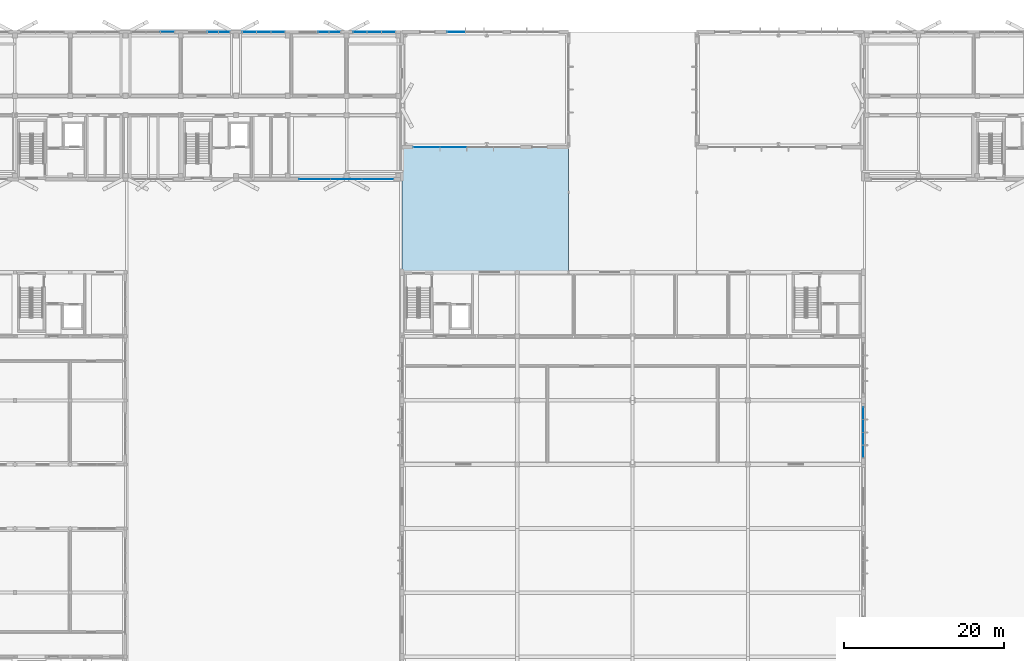
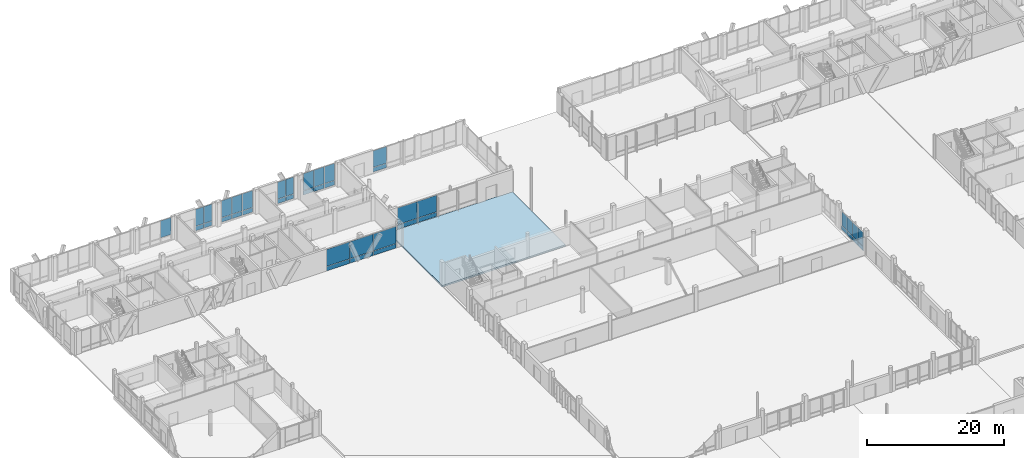
# One storey, part 183 of 233: 41 plates, 1 slab, 9 elements without a shape of their own.
"""IFC4 building model written with IfcOpenShell, lengths in metres."""

from ifc_helpers import new_model, si_unit, direction, frame, origin, origin_2d, place, context, subcontext, project, spatial, polyline, rectangle, outline, extrude, material, layer, layer_set, type_object, element, aggregate, save


model = new_model("IFC4")

# Units and contexts
model_context = context("Model", 3, precision=1e-05, world=origin(), true_north=direction((0.0, 1.0)))
body_context = subcontext(model_context, "Body", "Model", "MODEL_VIEW")
ifc_project = project(units=[si_unit("LENGTHUNIT", "METRE"), si_unit("AREAUNIT", "SQUARE_METRE"), si_unit("VOLUMEUNIT", "CUBIC_METRE"), si_unit("PLANEANGLEUNIT", "RADIAN"), si_unit("MASSUNIT", "GRAM", prefix="KILO")], contexts=[model_context])

# Site, building, storey
site_placement = place(None, origin())
site = spatial("IfcSite", under=ifc_project, at=site_placement, CompositionType="ELEMENT")
building_placement = place(site_placement, origin())
building = spatial("IfcBuilding", under=site, at=building_placement, Name="Zavelmont Quarter", CompositionType="ELEMENT")
storey_placement = place(building_placement, origin())
storey = spatial("IfcBuildingStorey", under=building, at=storey_placement, Name="L00", CompositionType="ELEMENT", Elevation=0.0)

# Curtain wall, plates
ifc_material_1 = material(Name="Thermally broken aluminium and double low-E safety glazing", Category="aluminium")
curtain_wall_type_1 = type_object("IfcCurtainWallType", Name="CW-285X395", PredefinedType="NOTDEFINED", material=ifc_material_1)
curtain_wall_1_placement = place(storey_placement, origin())
curtain_wall_1 = element("IfcCurtainWall", 1, at=curtain_wall_1_placement, inside=storey, type_object=curtain_wall_type_1, Name="L00 unitised curtain wall CW-285X395", PredefinedType="NOTDEFINED")
ifc_material_2 = material(Name="Insulated anodised-aluminium spandrel panel", Category="aluminium")
ifc_layer_1 = layer(ifc_material_2, 0.0400390625)
ifc_layer_set_1 = layer_set([ifc_layer_1], Name="Insulated anodised-aluminium spandrel panel")
plate_type_1 = type_object("IfcPlateType", Name="CWP-SPD-1335X760", PredefinedType="CURTAIN_PANEL", material=ifc_layer_set_1)
plate_1_placement = place(storey_placement, frame((31.62744140625, 116.0, 0.06005859375), z_axis=(0.0, 0.0, 1.0), x_axis=(1.0, 0.0, 0.0)))
plate_1 = element("IfcPlate", 2, at=plate_1_placement, type_object=plate_type_1, Name="CW-285X395 panel 1.1", PredefinedType="CURTAIN_PANEL", context=body_context, shape_type="SweptSolid", body=[
    extrude(rectangle(XDim=1.3349609375, YDim=0.0400390625, at=origin_2d()), origin(), (0.0, 0.0, 1.0), 0.760009765625),
])
plate_2_placement = place(storey_placement, frame((33.0224609375, 116.0, 0.06005859375), z_axis=(0.0, 0.0, 1.0), x_axis=(1.0, 0.0, 0.0)))
plate_2 = element("IfcPlate", 3, at=plate_2_placement, type_object=plate_type_1, Name="CW-285X395 panel 2.1", PredefinedType="CURTAIN_PANEL", context=body_context, shape_type="SweptSolid", body=[
    extrude(rectangle(XDim=1.3349609375, YDim=0.0400390625, at=origin_2d()), origin(), (0.0, 0.0, 1.0), 0.760009765625),
])

curtain_wall_2_placement = place(storey_placement, origin())
curtain_wall_2 = element("IfcCurtainWall", 4, at=curtain_wall_2_placement, inside=storey, type_object=curtain_wall_type_1, Name="L00 unitised curtain wall CW-285X395", PredefinedType="NOTDEFINED")
plate_3_placement = place(storey_placement, frame((45.427490234375, 116.0, 0.06005859375), z_axis=(0.0, 0.0, 1.0), x_axis=(1.0, 0.0, 0.0)))
plate_3 = element("IfcPlate", 5, at=plate_3_placement, type_object=plate_type_1, Name="CW-285X395 panel 1.1", PredefinedType="CURTAIN_PANEL", context=body_context, shape_type="SweptSolid", body=[
    extrude(rectangle(XDim=1.3349609375, YDim=0.0400390625, at=origin_2d()), origin(), (0.0, 0.0, 1.0), 0.760009765625),
])
plate_4_placement = place(storey_placement, frame((46.822509765625, 116.0, 0.06005859375), z_axis=(0.0, 0.0, 1.0), x_axis=(1.0, 0.0, 0.0)))
plate_4 = element("IfcPlate", 6, at=plate_4_placement, type_object=plate_type_1, Name="CW-285X395 panel 2.1", PredefinedType="CURTAIN_PANEL", context=body_context, shape_type="SweptSolid", body=[
    extrude(rectangle(XDim=1.3349609375, YDim=0.0400390625, at=origin_2d()), origin(), (0.0, 0.0, 1.0), 0.760009765625),
])

curtain_wall_type_2 = type_object("IfcCurtainWallType", Name="CW-640X336", PredefinedType="NOTDEFINED", material=ifc_material_1)
curtain_wall_3_placement = place(storey_placement, origin())
curtain_wall_3 = element("IfcCurtainWall", 7, at=curtain_wall_3_placement, inside=storey, type_object=curtain_wall_type_2, Name="L00 unitised curtain wall CW-640X336", PredefinedType="NOTDEFINED")
ifc_layer_2 = layer(ifc_material_2, 0.0400390625)
ifc_layer_set_2 = layer_set([ifc_layer_2], Name="Insulated anodised-aluminium spandrel panel")
plate_type_2 = type_object("IfcPlateType", Name="CWP-SPD-1495X700", PredefinedType="CURTAIN_PANEL", material=ifc_layer_set_2)
plate_5_placement = place(storey_placement, frame((112.800048828125, 63.617431640625, 0.06982421875), z_axis=(0.0, 0.0, 1.0), x_axis=(0.0, 1.0, 0.0)))
plate_5 = element("IfcPlate", 8, at=plate_5_placement, type_object=plate_type_2, Name="CW-640X336 panel 1.1", PredefinedType="CURTAIN_PANEL", context=body_context, shape_type="SweptSolid", body=[
    extrude(rectangle(XDim=1.4951171875, YDim=0.0400390625, at=origin_2d()), origin(), (0.0, 0.0, 1.0), 0.700927734375),
])
plate_6_placement = place(storey_placement, frame((112.800048828125, 68.382568359375, 0.06982421875), z_axis=(0.0, 0.0, 1.0), x_axis=(0.0, 1.0, 0.0)))
plate_6 = element("IfcPlate", 9, at=plate_6_placement, type_object=plate_type_2, Name="CW-640X336 panel 4.1", PredefinedType="CURTAIN_PANEL", context=body_context, shape_type="SweptSolid", body=[
    extrude(rectangle(XDim=1.4951171875, YDim=0.0400390625, at=origin_2d()), origin(), (0.0, 0.0, 1.0), 0.700927734375),
])
ifc_layer_3 = layer(ifc_material_2, 0.0400390625)
ifc_layer_set_3 = layer_set([ifc_layer_3], Name="Insulated anodised-aluminium spandrel panel")
plate_type_3 = type_object("IfcPlateType", Name="CWP-SPD-1530X700", PredefinedType="CURTAIN_PANEL", material=ifc_layer_set_3)
plate_7_placement = place(storey_placement, frame((112.800048828125, 65.199951171875, 0.06982421875), z_axis=(0.0, 0.0, 1.0), x_axis=(0.0, 1.0, 0.0)))
plate_7 = element("IfcPlate", 10, at=plate_7_placement, type_object=plate_type_3, Name="CW-640X336 panel 2.1", PredefinedType="CURTAIN_PANEL", context=body_context, shape_type="SweptSolid", body=[
    extrude(rectangle(XDim=1.530029296875, YDim=0.0400390625, at=origin_2d()), origin(), (0.0, 0.0, 1.0), 0.700927734375),
])
plate_8_placement = place(storey_placement, frame((112.800048828125, 66.800048828125, 0.06982421875), z_axis=(0.0, 0.0, 1.0), x_axis=(0.0, 1.0, 0.0)))
plate_8 = element("IfcPlate", 11, at=plate_8_placement, type_object=plate_type_3, Name="CW-640X336 panel 3.1", PredefinedType="CURTAIN_PANEL", context=body_context, shape_type="SweptSolid", body=[
    extrude(rectangle(XDim=1.530029296875, YDim=0.0400390625, at=origin_2d()), origin(), (0.0, 0.0, 1.0), 0.700927734375),
])

curtain_wall_type_3 = type_object("IfcCurtainWallType", Name="CW-540X395", PredefinedType="NOTDEFINED", material=ifc_material_1)
curtain_wall_4_placement = place(storey_placement, origin())
curtain_wall_4 = element("IfcCurtainWall", 12, at=curtain_wall_4_placement, inside=storey, type_object=curtain_wall_type_3, Name="L00 unitised curtain wall CW-540X395", PredefinedType="NOTDEFINED")
ifc_layer_4 = layer(ifc_material_2, 0.0400390625)
ifc_layer_set_4 = layer_set([ifc_layer_4], Name="Insulated anodised-aluminium spandrel panel")
plate_type_4 = type_object("IfcPlateType", Name="CWP-SPD-1710X760", PredefinedType="CURTAIN_PANEL", material=ifc_layer_set_4)
plate_9_placement = place(storey_placement, frame((36.1650390625, 116.0, 0.06005859375), z_axis=(0.0, 0.0, 1.0), x_axis=(1.0, 0.0, 0.0)))
plate_9 = element("IfcPlate", 13, at=plate_9_placement, type_object=plate_type_4, Name="CW-540X395 panel 1.1", PredefinedType="CURTAIN_PANEL", context=body_context, shape_type="SweptSolid", body=[
    extrude(rectangle(XDim=1.7099609375, YDim=0.0400390625, at=origin_2d()), origin(), (0.0, 0.0, 1.0), 0.760009765625),
])
plate_10_placement = place(storey_placement, frame((39.735107421875, 116.0, 0.06005859375), z_axis=(0.0, 0.0, 1.0), x_axis=(1.0, 0.0, 0.0)))
plate_10 = element("IfcPlate", 14, at=plate_10_placement, type_object=plate_type_4, Name="CW-540X395 panel 3.1", PredefinedType="CURTAIN_PANEL", context=body_context, shape_type="SweptSolid", body=[
    extrude(rectangle(XDim=1.7099609375, YDim=0.0400390625, at=origin_2d()), origin(), (0.0, 0.0, 1.0), 0.760009765625),
])

curtain_wall_5_placement = place(storey_placement, origin())
curtain_wall_5 = element("IfcCurtainWall", 15, at=curtain_wall_5_placement, inside=storey, type_object=curtain_wall_type_3, Name="L00 unitised curtain wall CW-540X395", PredefinedType="NOTDEFINED")
plate_11_placement = place(storey_placement, frame((49.965087890625, 116.0, 0.06005859375), z_axis=(0.0, 0.0, 1.0), x_axis=(1.0, 0.0, 0.0)))
plate_11 = element("IfcPlate", 16, at=plate_11_placement, type_object=plate_type_4, Name="CW-540X395 panel 1.1", PredefinedType="CURTAIN_PANEL", context=body_context, shape_type="SweptSolid", body=[
    extrude(rectangle(XDim=1.7099609375, YDim=0.0400390625, at=origin_2d()), origin(), (0.0, 0.0, 1.0), 0.760009765625),
])
plate_12_placement = place(storey_placement, frame((53.534912109375, 116.0, 0.06005859375), z_axis=(0.0, 0.0, 1.0), x_axis=(1.0, 0.0, 0.0)))
plate_12 = element("IfcPlate", 17, at=plate_12_placement, type_object=plate_type_4, Name="CW-540X395 panel 3.1", PredefinedType="CURTAIN_PANEL", context=body_context, shape_type="SweptSolid", body=[
    extrude(rectangle(XDim=1.7099609375, YDim=0.0400390625, at=origin_2d()), origin(), (0.0, 0.0, 1.0), 0.760009765625),
])

# Plate
ifc_layer_5 = layer(ifc_material_2, 0.0400390625)
ifc_layer_set_5 = layer_set([ifc_layer_5], Name="Insulated anodised-aluminium spandrel panel")
plate_type_5 = type_object("IfcPlateType", Name="CWP-SPD-1740X760", PredefinedType="CURTAIN_PANEL", material=ifc_layer_set_5)
plate_13_placement = place(storey_placement, frame((37.949951171875, 116.0, 0.06005859375), z_axis=(0.0, 0.0, 1.0), x_axis=(1.0, 0.0, 0.0)))
plate_13 = element("IfcPlate", 18, at=plate_13_placement, type_object=plate_type_5, Name="CW-540X395 panel 2.1", PredefinedType="CURTAIN_PANEL", context=body_context, shape_type="SweptSolid", body=[
    extrude(rectangle(XDim=1.739990234375, YDim=0.0400390625, at=origin_2d()), origin(), (0.0, 0.0, 1.0), 0.760009765625),
])

plate_14_placement = place(storey_placement, frame((51.75, 116.0, 0.06005859375), z_axis=(0.0, 0.0, 1.0), x_axis=(1.0, 0.0, 0.0)))
plate_14 = element("IfcPlate", 19, at=plate_14_placement, type_object=plate_type_5, Name="CW-540X395 panel 2.1", PredefinedType="CURTAIN_PANEL", context=body_context, shape_type="SweptSolid", body=[
    extrude(rectangle(XDim=1.739990234375, YDim=0.0400390625, at=origin_2d()), origin(), (0.0, 0.0, 1.0), 0.760009765625),
])

# Curtain wall, plate
curtain_wall_type_4 = type_object("IfcCurtainWallType", Name="CW-700X390", PredefinedType="NOTDEFINED", material=ifc_material_1)
curtain_wall_6_placement = place(storey_placement, origin())
curtain_wall_6 = element("IfcCurtainWall", 20, at=curtain_wall_6_placement, inside=storey, type_object=curtain_wall_type_4, Name="L00 unitised curtain wall CW-700X390", PredefinedType="NOTDEFINED")
ifc_layer_6 = layer(ifc_material_2, 0.0400390625)
ifc_layer_set_6 = layer_set([ifc_layer_6], Name="Insulated anodised-aluminium spandrel panel")
plate_type_6 = type_object("IfcPlateType", Name="CWP-SPD-2245X760", PredefinedType="CURTAIN_PANEL", material=ifc_layer_set_6)
plate_15_placement = place(storey_placement, frame((61.981689453125, 116.0, 0.06005859375), z_axis=(0.0, 0.0, 1.0), x_axis=(1.0, 0.0, 0.0)))
plate_15 = element("IfcPlate", 21, at=plate_15_placement, type_object=plate_type_6, Name="CW-700X390 panel 1.1", PredefinedType="CURTAIN_PANEL", context=body_context, shape_type="SweptSolid", body=[
    extrude(rectangle(XDim=2.243408203125, YDim=0.0400390625, at=origin_2d()), origin(), (0.0, 0.0, 1.0), 0.760009765625),
])

# Curtain wall, plates
curtain_wall_type_5 = type_object("IfcCurtainWallType", Name="CW-1340X390", PredefinedType="NOTDEFINED", material=ifc_material_1)
curtain_wall_7_placement = place(storey_placement, origin())
curtain_wall_7 = element("IfcCurtainWall", 22, at=curtain_wall_7_placement, inside=storey, type_object=curtain_wall_type_5, Name="L00 unitised curtain wall CW-1340X390", PredefinedType="NOTDEFINED")
ifc_layer_7 = layer(ifc_material_2, 0.0400390625)
ifc_layer_set_7 = layer_set([ifc_layer_7], Name="Insulated anodised-aluminium spandrel panel")
plate_type_7 = type_object("IfcPlateType", Name="CWP-SPD-3260X760", PredefinedType="CURTAIN_PANEL", material=ifc_layer_set_7)
plate_16_placement = place(storey_placement, frame((58.2900390625, 101.60009765625, 0.06005859375), z_axis=(0.0, 0.0, 1.0), x_axis=(1.0, 0.0, 0.0)))
plate_16 = element("IfcPlate", 23, at=plate_16_placement, type_object=plate_type_7, Name="CW-1340X390 panel 1.1", PredefinedType="CURTAIN_PANEL", context=body_context, shape_type="SweptSolid", body=[
    extrude(rectangle(XDim=3.260009765625, YDim=0.0400390625, at=origin_2d()), origin(), (0.0, 0.0, 1.0), 0.760009765625),
])
ifc_layer_8 = layer(ifc_material_2, 0.0400390625)
ifc_layer_set_8 = layer_set([ifc_layer_8], Name="Insulated anodised-aluminium spandrel panel")
plate_type_8 = type_object("IfcPlateType", Name="CWP-SPD-3290X760", PredefinedType="CURTAIN_PANEL", material=ifc_layer_set_8)
plate_17_placement = place(storey_placement, frame((61.625, 101.60009765625, 0.06005859375), z_axis=(0.0, 0.0, 1.0), x_axis=(1.0, 0.0, 0.0)))
plate_17 = element("IfcPlate", 24, at=plate_17_placement, type_object=plate_type_8, Name="CW-1340X390 panel 2.1", PredefinedType="CURTAIN_PANEL", context=body_context, shape_type="SweptSolid", body=[
    extrude(rectangle(XDim=3.2900390625, YDim=0.0400390625, at=origin_2d()), origin(), (0.0, 0.0, 1.0), 0.760009765625),
])

curtain_wall_type_6 = type_object("IfcCurtainWallType", Name="CW-1185X395", PredefinedType="NOTDEFINED", material=ifc_material_1)
curtain_wall_8_placement = place(storey_placement, origin())
curtain_wall_8 = element("IfcCurtainWall", 25, at=curtain_wall_8_placement, inside=storey, type_object=curtain_wall_type_6, Name="L00 unitised curtain wall CW-1185X395", PredefinedType="NOTDEFINED")
ifc_layer_9 = layer(ifc_material_2, 0.0400390625)
ifc_layer_set_9 = layer_set([ifc_layer_9], Name="Insulated anodised-aluminium spandrel panel")
plate_type_9 = type_object("IfcPlateType", Name="CWP-SPD-3860X760", PredefinedType="CURTAIN_PANEL", material=ifc_layer_set_9)
plate_18_placement = place(storey_placement, frame((44.340087890625, 97.60009765625, 0.06005859375), z_axis=(0.0, 0.0, 1.0), x_axis=(1.0, 0.0, 0.0)))
plate_18 = element("IfcPlate", 26, at=plate_18_placement, type_object=plate_type_9, Name="CW-1185X395 panel 1.1", PredefinedType="CURTAIN_PANEL", context=body_context, shape_type="SweptSolid", body=[
    extrude(rectangle(XDim=3.860107421875, YDim=0.0400390625, at=origin_2d()), origin(), (0.0, 0.0, 1.0), 0.760009765625),
])
plate_19_placement = place(storey_placement, frame((52.2099609375, 97.60009765625, 0.06005859375), z_axis=(0.0, 0.0, 1.0), x_axis=(1.0, 0.0, 0.0)))
plate_19 = element("IfcPlate", 27, at=plate_19_placement, type_object=plate_type_9, Name="CW-1185X395 panel 3.1", PredefinedType="CURTAIN_PANEL", context=body_context, shape_type="SweptSolid", body=[
    extrude(rectangle(XDim=3.860107421875, YDim=0.0400390625, at=origin_2d()), origin(), (0.0, 0.0, 1.0), 0.760009765625),
])
ifc_layer_10 = layer(ifc_material_2, 0.0400390625)
ifc_layer_set_10 = layer_set([ifc_layer_10], Name="Insulated anodised-aluminium spandrel panel")
plate_type_10 = type_object("IfcPlateType", Name="CWP-SPD-3890X760", PredefinedType="CURTAIN_PANEL", material=ifc_layer_set_10)
plate_20_placement = place(storey_placement, frame((48.27490234375, 97.60009765625, 0.06005859375), z_axis=(0.0, 0.0, 1.0), x_axis=(1.0, 0.0, 0.0)))
plate_20 = element("IfcPlate", 28, at=plate_20_placement, type_object=plate_type_10, Name="CW-1185X395 panel 2.1", PredefinedType="CURTAIN_PANEL", context=body_context, shape_type="SweptSolid", body=[
    extrude(rectangle(XDim=3.889892578125, YDim=0.0400390625, at=origin_2d()), origin(), (0.0, 0.0, 1.0), 0.760009765625),
])

# Plate
ifc_material_3 = material(Name="Double low-E insulated vision glass", Category="glass")
ifc_layer_11 = layer(ifc_material_3, 0.028076171875)
ifc_layer_set_11 = layer_set([ifc_layer_11], Name="Double low-E insulated vision glass")
plate_type_11 = type_object("IfcPlateType", Name="CWP-VIS-1335X3010", PredefinedType="CURTAIN_PANEL", material=ifc_layer_set_11)
plate_21_placement = place(storey_placement, frame((31.62744140625, 116.0, 0.8798828125), z_axis=(0.0, 0.0, 1.0), x_axis=(1.0, 0.0, 0.0)))
plate_21 = element("IfcPlate", 29, at=plate_21_placement, type_object=plate_type_11, Name="CW-285X395 panel 1.2", PredefinedType="CURTAIN_PANEL", context=body_context, shape_type="SweptSolid", body=[
    extrude(rectangle(XDim=1.3349609375, YDim=0.028076171875, at=origin_2d()), origin(), (0.0, 0.0, 1.0), 3.010009765625),
])

plate_22_placement = place(storey_placement, frame((33.0224609375, 116.0, 0.8798828125), z_axis=(0.0, 0.0, 1.0), x_axis=(1.0, 0.0, 0.0)))
plate_22 = element("IfcPlate", 30, at=plate_22_placement, type_object=plate_type_11, Name="CW-285X395 panel 2.2", PredefinedType="CURTAIN_PANEL", context=body_context, shape_type="SweptSolid", body=[
    extrude(rectangle(XDim=1.3349609375, YDim=0.028076171875, at=origin_2d()), origin(), (0.0, 0.0, 1.0), 3.010009765625),
])

aggregate(curtain_wall_1, [plate_1, plate_21, plate_2, plate_22])

plate_23_placement = place(storey_placement, frame((45.427490234375, 116.0, 0.8798828125), z_axis=(0.0, 0.0, 1.0), x_axis=(1.0, 0.0, 0.0)))
plate_23 = element("IfcPlate", 31, at=plate_23_placement, type_object=plate_type_11, Name="CW-285X395 panel 1.2", PredefinedType="CURTAIN_PANEL", context=body_context, shape_type="SweptSolid", body=[
    extrude(rectangle(XDim=1.3349609375, YDim=0.028076171875, at=origin_2d()), origin(), (0.0, 0.0, 1.0), 3.010009765625),
])

plate_24_placement = place(storey_placement, frame((46.822509765625, 116.0, 0.8798828125), z_axis=(0.0, 0.0, 1.0), x_axis=(1.0, 0.0, 0.0)))
plate_24 = element("IfcPlate", 32, at=plate_24_placement, type_object=plate_type_11, Name="CW-285X395 panel 2.2", PredefinedType="CURTAIN_PANEL", context=body_context, shape_type="SweptSolid", body=[
    extrude(rectangle(XDim=1.3349609375, YDim=0.028076171875, at=origin_2d()), origin(), (0.0, 0.0, 1.0), 3.010009765625),
])

aggregate(curtain_wall_2, [plate_3, plate_23, plate_4, plate_24])

ifc_layer_12 = layer(ifc_material_3, 0.028076171875)
ifc_layer_set_12 = layer_set([ifc_layer_12], Name="Double low-E insulated vision glass")
plate_type_12 = type_object("IfcPlateType", Name="CWP-VIS-1495X2450", PredefinedType="CURTAIN_PANEL", material=ifc_layer_set_12)
plate_25_placement = place(storey_placement, frame((112.800048828125, 63.617431640625, 0.8408203125), z_axis=(0.0, 0.0, 1.0), x_axis=(0.0, 1.0, 0.0)))
plate_25 = element("IfcPlate", 33, at=plate_25_placement, type_object=plate_type_12, Name="CW-640X336 panel 1.2", PredefinedType="CURTAIN_PANEL", context=body_context, shape_type="SweptSolid", body=[
    extrude(rectangle(XDim=1.4951171875, YDim=0.028076171875, at=origin_2d()), origin(), (0.0, 0.0, 1.0), 2.448974609375),
])

plate_26_placement = place(storey_placement, frame((112.800048828125, 68.382568359375, 0.8408203125), z_axis=(0.0, 0.0, 1.0), x_axis=(0.0, 1.0, 0.0)))
plate_26 = element("IfcPlate", 34, at=plate_26_placement, type_object=plate_type_12, Name="CW-640X336 panel 4.2", PredefinedType="CURTAIN_PANEL", context=body_context, shape_type="SweptSolid", body=[
    extrude(rectangle(XDim=1.4951171875, YDim=0.028076171875, at=origin_2d()), origin(), (0.0, 0.0, 1.0), 2.448974609375),
])

ifc_layer_13 = layer(ifc_material_3, 0.028076171875)
ifc_layer_set_13 = layer_set([ifc_layer_13], Name="Double low-E insulated vision glass")
plate_type_13 = type_object("IfcPlateType", Name="CWP-VIS-1530X2450", PredefinedType="CURTAIN_PANEL", material=ifc_layer_set_13)
plate_27_placement = place(storey_placement, frame((112.800048828125, 65.199951171875, 0.8408203125), z_axis=(0.0, 0.0, 1.0), x_axis=(0.0, 1.0, 0.0)))
plate_27 = element("IfcPlate", 35, at=plate_27_placement, type_object=plate_type_13, Name="CW-640X336 panel 2.2", PredefinedType="CURTAIN_PANEL", context=body_context, shape_type="SweptSolid", body=[
    extrude(rectangle(XDim=1.530029296875, YDim=0.028076171875, at=origin_2d()), origin(), (0.0, 0.0, 1.0), 2.448974609375),
])

plate_28_placement = place(storey_placement, frame((112.800048828125, 66.800048828125, 0.8408203125), z_axis=(0.0, 0.0, 1.0), x_axis=(0.0, 1.0, 0.0)))
plate_28 = element("IfcPlate", 36, at=plate_28_placement, type_object=plate_type_13, Name="CW-640X336 panel 3.2", PredefinedType="CURTAIN_PANEL", context=body_context, shape_type="SweptSolid", body=[
    extrude(rectangle(XDim=1.530029296875, YDim=0.028076171875, at=origin_2d()), origin(), (0.0, 0.0, 1.0), 2.448974609375),
])

aggregate(curtain_wall_3, [plate_5, plate_25, plate_7, plate_27, plate_8, plate_28, plate_6, plate_26])

# Curtain wall, plate
curtain_wall_9_placement = place(storey_placement, origin())
curtain_wall_9 = element("IfcCurtainWall", 37, at=curtain_wall_9_placement, inside=storey, type_object=curtain_wall_type_3, Name="L00 unitised curtain wall CW-540X395", PredefinedType="NOTDEFINED")
ifc_layer_14 = layer(ifc_material_3, 0.028076171875)
ifc_layer_set_14 = layer_set([ifc_layer_14], Name="Double low-E insulated vision glass")
plate_type_14 = type_object("IfcPlateType", Name="CWP-VIS-1710X3010", PredefinedType="CURTAIN_PANEL", material=ifc_layer_set_14)
plate_29_placement = place(storey_placement, frame((25.93505859375, 116.0, 0.8798828125), z_axis=(0.0, 0.0, 1.0), x_axis=(1.0, 0.0, 0.0)))
plate_29 = element("IfcPlate", 38, at=plate_29_placement, type_object=plate_type_14, Name="CW-540X395 panel 3.2", PredefinedType="CURTAIN_PANEL", context=body_context, shape_type="SweptSolid", body=[
    extrude(rectangle(XDim=1.7099609375, YDim=0.028076171875, at=origin_2d()), origin(), (0.0, 0.0, 1.0), 3.010009765625),
])
aggregate(curtain_wall_9, [plate_29])

# Plate
plate_30_placement = place(storey_placement, frame((36.1650390625, 116.0, 0.8798828125), z_axis=(0.0, 0.0, 1.0), x_axis=(1.0, 0.0, 0.0)))
plate_30 = element("IfcPlate", 39, at=plate_30_placement, type_object=plate_type_14, Name="CW-540X395 panel 1.2", PredefinedType="CURTAIN_PANEL", context=body_context, shape_type="SweptSolid", body=[
    extrude(rectangle(XDim=1.7099609375, YDim=0.028076171875, at=origin_2d()), origin(), (0.0, 0.0, 1.0), 3.010009765625),
])

plate_31_placement = place(storey_placement, frame((39.735107421875, 116.0, 0.8798828125), z_axis=(0.0, 0.0, 1.0), x_axis=(1.0, 0.0, 0.0)))
plate_31 = element("IfcPlate", 40, at=plate_31_placement, type_object=plate_type_14, Name="CW-540X395 panel 3.2", PredefinedType="CURTAIN_PANEL", context=body_context, shape_type="SweptSolid", body=[
    extrude(rectangle(XDim=1.7099609375, YDim=0.028076171875, at=origin_2d()), origin(), (0.0, 0.0, 1.0), 3.010009765625),
])

plate_32_placement = place(storey_placement, frame((49.965087890625, 116.0, 0.8798828125), z_axis=(0.0, 0.0, 1.0), x_axis=(1.0, 0.0, 0.0)))
plate_32 = element("IfcPlate", 41, at=plate_32_placement, type_object=plate_type_14, Name="CW-540X395 panel 1.2", PredefinedType="CURTAIN_PANEL", context=body_context, shape_type="SweptSolid", body=[
    extrude(rectangle(XDim=1.7099609375, YDim=0.028076171875, at=origin_2d()), origin(), (0.0, 0.0, 1.0), 3.010009765625),
])

plate_33_placement = place(storey_placement, frame((53.534912109375, 116.0, 0.8798828125), z_axis=(0.0, 0.0, 1.0), x_axis=(1.0, 0.0, 0.0)))
plate_33 = element("IfcPlate", 42, at=plate_33_placement, type_object=plate_type_14, Name="CW-540X395 panel 3.2", PredefinedType="CURTAIN_PANEL", context=body_context, shape_type="SweptSolid", body=[
    extrude(rectangle(XDim=1.7099609375, YDim=0.028076171875, at=origin_2d()), origin(), (0.0, 0.0, 1.0), 3.010009765625),
])

ifc_layer_15 = layer(ifc_material_3, 0.028076171875)
ifc_layer_set_15 = layer_set([ifc_layer_15], Name="Double low-E insulated vision glass")
plate_type_15 = type_object("IfcPlateType", Name="CWP-VIS-1740X3010", PredefinedType="CURTAIN_PANEL", material=ifc_layer_set_15)
plate_34_placement = place(storey_placement, frame((37.949951171875, 116.0, 0.8798828125), z_axis=(0.0, 0.0, 1.0), x_axis=(1.0, 0.0, 0.0)))
plate_34 = element("IfcPlate", 43, at=plate_34_placement, type_object=plate_type_15, Name="CW-540X395 panel 2.2", PredefinedType="CURTAIN_PANEL", context=body_context, shape_type="SweptSolid", body=[
    extrude(rectangle(XDim=1.739990234375, YDim=0.028076171875, at=origin_2d()), origin(), (0.0, 0.0, 1.0), 3.010009765625),
])

aggregate(curtain_wall_4, [plate_9, plate_30, plate_13, plate_34, plate_10, plate_31])

plate_35_placement = place(storey_placement, frame((51.75, 116.0, 0.8798828125), z_axis=(0.0, 0.0, 1.0), x_axis=(1.0, 0.0, 0.0)))
plate_35 = element("IfcPlate", 44, at=plate_35_placement, type_object=plate_type_15, Name="CW-540X395 panel 2.2", PredefinedType="CURTAIN_PANEL", context=body_context, shape_type="SweptSolid", body=[
    extrude(rectangle(XDim=1.739990234375, YDim=0.028076171875, at=origin_2d()), origin(), (0.0, 0.0, 1.0), 3.010009765625),
])

aggregate(curtain_wall_5, [plate_11, plate_32, plate_14, plate_35, plate_12, plate_33])

ifc_layer_16 = layer(ifc_material_3, 0.028076171875)
ifc_layer_set_16 = layer_set([ifc_layer_16], Name="Double low-E insulated vision glass")
plate_type_16 = type_object("IfcPlateType", Name="CWP-VIS-2245X2960", PredefinedType="CURTAIN_PANEL", material=ifc_layer_set_16)
plate_36_placement = place(storey_placement, frame((61.981689453125, 116.0, 0.880126953125), z_axis=(0.0, 0.0, 1.0), x_axis=(1.0, 0.0, 0.0)))
plate_36 = element("IfcPlate", 45, at=plate_36_placement, type_object=plate_type_16, Name="CW-700X390 panel 1.2", PredefinedType="CURTAIN_PANEL", context=body_context, shape_type="SweptSolid", body=[
    extrude(rectangle(XDim=2.243408203125, YDim=0.028076171875, at=origin_2d()), origin(), (0.0, 0.0, 1.0), 2.9599609375),
])

aggregate(curtain_wall_6, [plate_15, plate_36])

ifc_layer_17 = layer(ifc_material_3, 0.028076171875)
ifc_layer_set_17 = layer_set([ifc_layer_17], Name="Double low-E insulated vision glass")
plate_type_17 = type_object("IfcPlateType", Name="CWP-VIS-3260X2960", PredefinedType="CURTAIN_PANEL", material=ifc_layer_set_17)
plate_37_placement = place(storey_placement, frame((58.2900390625, 101.60009765625, 0.880126953125), z_axis=(0.0, 0.0, 1.0), x_axis=(1.0, 0.0, 0.0)))
plate_37 = element("IfcPlate", 46, at=plate_37_placement, type_object=plate_type_17, Name="CW-1340X390 panel 1.2", PredefinedType="CURTAIN_PANEL", context=body_context, shape_type="SweptSolid", body=[
    extrude(rectangle(XDim=3.260009765625, YDim=0.028076171875, at=origin_2d()), origin(), (0.0, 0.0, 1.0), 2.9599609375),
])

ifc_layer_18 = layer(ifc_material_3, 0.028076171875)
ifc_layer_set_18 = layer_set([ifc_layer_18], Name="Double low-E insulated vision glass")
plate_type_18 = type_object("IfcPlateType", Name="CWP-VIS-3290X2960", PredefinedType="CURTAIN_PANEL", material=ifc_layer_set_18)
plate_38_placement = place(storey_placement, frame((61.625, 101.60009765625, 0.880126953125), z_axis=(0.0, 0.0, 1.0), x_axis=(1.0, 0.0, 0.0)))
plate_38 = element("IfcPlate", 47, at=plate_38_placement, type_object=plate_type_18, Name="CW-1340X390 panel 2.2", PredefinedType="CURTAIN_PANEL", context=body_context, shape_type="SweptSolid", body=[
    extrude(rectangle(XDim=3.2900390625, YDim=0.028076171875, at=origin_2d()), origin(), (0.0, 0.0, 1.0), 2.9599609375),
])

aggregate(curtain_wall_7, [plate_16, plate_37, plate_17, plate_38])

ifc_layer_19 = layer(ifc_material_3, 0.028076171875)
ifc_layer_set_19 = layer_set([ifc_layer_19], Name="Double low-E insulated vision glass")
plate_type_19 = type_object("IfcPlateType", Name="CWP-VIS-3860X3010", PredefinedType="CURTAIN_PANEL", material=ifc_layer_set_19)
plate_39_placement = place(storey_placement, frame((44.340087890625, 97.60009765625, 0.8798828125), z_axis=(0.0, 0.0, 1.0), x_axis=(1.0, 0.0, 0.0)))
plate_39 = element("IfcPlate", 48, at=plate_39_placement, type_object=plate_type_19, Name="CW-1185X395 panel 1.2", PredefinedType="CURTAIN_PANEL", context=body_context, shape_type="SweptSolid", body=[
    extrude(rectangle(XDim=3.860107421875, YDim=0.028076171875, at=origin_2d()), origin(), (0.0, 0.0, 1.0), 3.010009765625),
])

plate_40_placement = place(storey_placement, frame((52.2099609375, 97.60009765625, 0.8798828125), z_axis=(0.0, 0.0, 1.0), x_axis=(1.0, 0.0, 0.0)))
plate_40 = element("IfcPlate", 49, at=plate_40_placement, type_object=plate_type_19, Name="CW-1185X395 panel 3.2", PredefinedType="CURTAIN_PANEL", context=body_context, shape_type="SweptSolid", body=[
    extrude(rectangle(XDim=3.860107421875, YDim=0.028076171875, at=origin_2d()), origin(), (0.0, 0.0, 1.0), 3.010009765625),
])

ifc_layer_20 = layer(ifc_material_3, 0.028076171875)
ifc_layer_set_20 = layer_set([ifc_layer_20], Name="Double low-E insulated vision glass")
plate_type_20 = type_object("IfcPlateType", Name="CWP-VIS-3890X3010", PredefinedType="CURTAIN_PANEL", material=ifc_layer_set_20)
plate_41_placement = place(storey_placement, frame((48.27490234375, 97.60009765625, 0.8798828125), z_axis=(0.0, 0.0, 1.0), x_axis=(1.0, 0.0, 0.0)))
plate_41 = element("IfcPlate", 50, at=plate_41_placement, type_object=plate_type_20, Name="CW-1185X395 panel 2.2", PredefinedType="CURTAIN_PANEL", context=body_context, shape_type="SweptSolid", body=[
    extrude(rectangle(XDim=3.889892578125, YDim=0.028076171875, at=origin_2d()), origin(), (0.0, 0.0, 1.0), 3.010009765625),
])

aggregate(curtain_wall_8, [plate_18, plate_39, plate_20, plate_41, plate_19, plate_40])

# Slab
ifc_material_4 = material(Name="Concrete C35/45", Category="concrete")
ifc_layer_21 = layer(ifc_material_4, 0.2900390625)
ifc_layer_set_21 = layer_set([ifc_layer_21], Name="Concrete C35/45")
slab_type = type_object("IfcSlabType", Name="SL-RF290", PredefinedType="ROOF", material=ifc_layer_set_21)
slab_placement = place(storey_placement, frame((0.0, 0.0, -0.2900390625)))
element("IfcSlab", 51, at=slab_placement, inside=storey, type_object=slab_type, Name="L00 North-West garden court SL-RF290", PredefinedType="ROOF", context=body_context, shape_type="SweptSolid", body=[
    extrude(outline(polyline([(55.199951171875, 86.0), (76.0, 86.0), (76.0, 101.60009765625), (55.199951171875, 101.60009765625), (55.199951171875, 86.0)])), origin(), (0.0, 0.0, 1.0), 0.2900390625),
])

save(model, "model.ifc")
